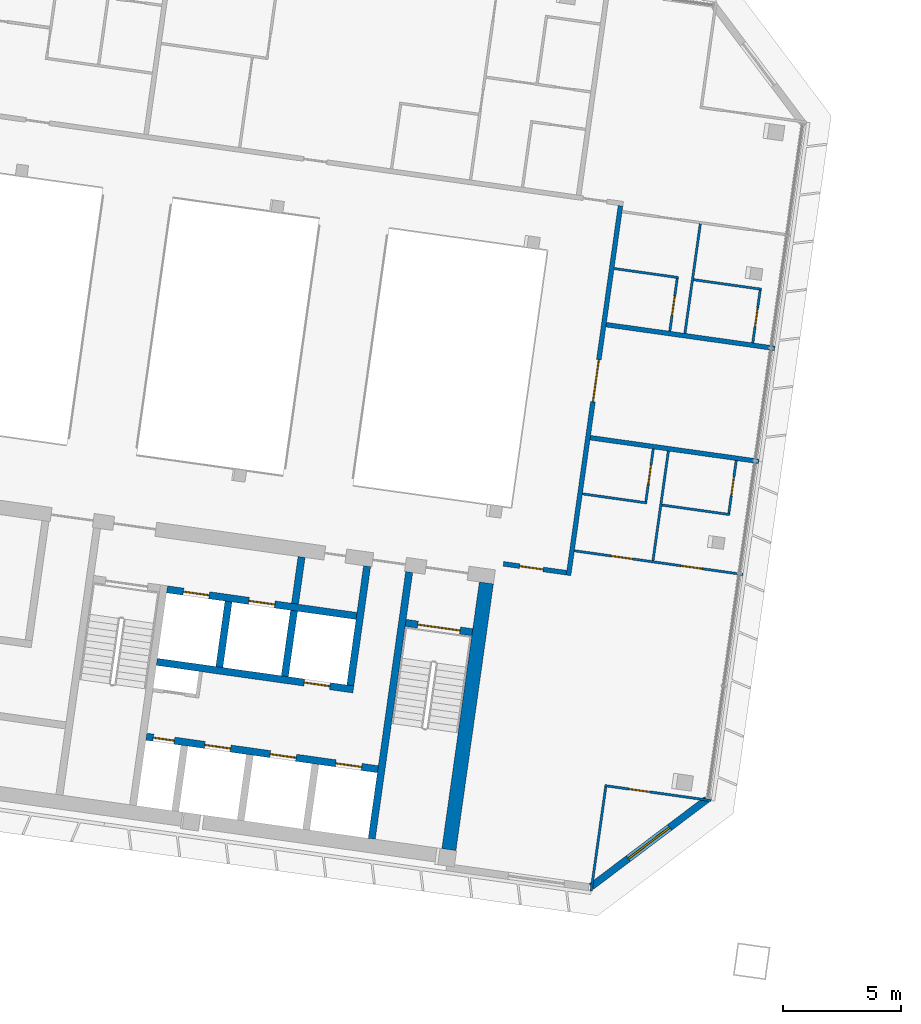
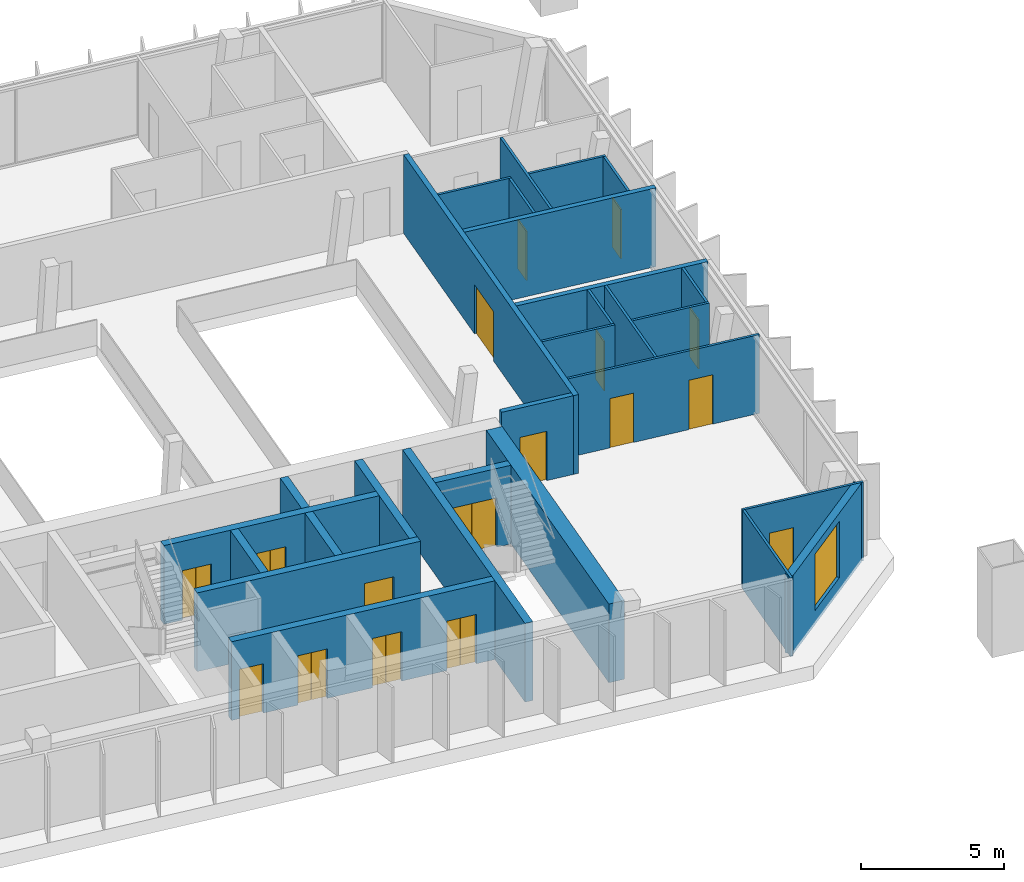
# One storey, part 14 of 23: 28 walls, 17 doors, 1 window, 18 openings.
"""IFC4 building model written with IfcOpenShell, lengths in metres."""

from ifc_helpers import new_model, si_unit, direction, frame, frame_2d, origin, place, context, subcontext, project, spatial, rectangle, extrude, material, layer, layer_set, type_object, element, fill, save


model = new_model("IFC4")

# Units and contexts
model_context = context("Model", 3, precision=1e-05, world=origin(), true_north=direction((0.0, 1.0)))
body_context = subcontext(model_context, "Body", "Model", "MODEL_VIEW")
ifc_project = project(units=[si_unit("LENGTHUNIT", "METRE"), si_unit("AREAUNIT", "SQUARE_METRE"), si_unit("VOLUMEUNIT", "CUBIC_METRE"), si_unit("PLANEANGLEUNIT", "RADIAN"), si_unit("MASSUNIT", "GRAM", prefix="KILO")], contexts=[model_context])

# Site, building, storey
site_placement = place(None, origin())
site = spatial("IfcSite", under=ifc_project, at=site_placement, CompositionType="ELEMENT")
building_placement = place(site_placement, origin())
building = spatial("IfcBuilding", under=site, at=building_placement, Name="Mirante Cascada Hotel Towers", CompositionType="ELEMENT")
storey_placement = place(building_placement, frame((0.0, 0.0, 220.4)))
storey = spatial("IfcBuildingStorey", under=building, at=storey_placement, Name="L52", CompositionType="ELEMENT", Elevation=220.4)

# Wall, opening, door
ifc_material_1 = material(Name="Fire-rated plasterboard on metal studs")
ifc_layer_1 = layer(ifc_material_1, 0.2)
ifc_layer_set_1 = layer_set([ifc_layer_1], Name="Compartment wall 200 EI 120")
wall_type_1 = type_object("IfcWallType", Name="Compartment wall 200 EI 120", PredefinedType="PARTITIONING", material=ifc_layer_set_1)
wall_1_placement = place(storey_placement, frame((-35.2634, -7.1173, 0.0), z_axis=(0.0, 0.0, 1.0), x_axis=(0.9902713, -0.1391498, 0.0)))
wall_1 = element("IfcWall", 1, at=wall_1_placement, inside=storey, type_object=wall_type_1, Name="Wall 1-L52-04", PredefinedType="PARTITIONING", context=body_context, shape_type="SweptSolid", body=[
    extrude(rectangle(XDim=2.7, YDim=0.2, at=frame_2d((1.35, 0.0))), origin(), (0.0, 0.0, 1.0), 3.35),
])
opening_1_placement = place(wall_1_placement, frame((0.7, 0.0, 0.0)))
opening_1 = element("IfcOpeningElement", 2, at=opening_1_placement, cuts=wall_1, Name="Opening D1-L52-02", PredefinedType="OPENING", context=body_context, shape_type="SweptSolid", body=[
    extrude(rectangle(XDim=1.0, YDim=2.1, at=frame_2d((0.5, 1.05))), frame((0.0, 0.1, 0.0), z_axis=(0.0, -1.0, 0.0), x_axis=(1.0, 0.0, 0.0)), (0.0, 0.0, 1.0), 0.2),
])
ifc_material_2 = material(Name="Fire-rated timber door leaf", Category="wood")
door_type_1 = type_object("IfcDoorType", Name="Entrance door DG1 1000x2100 EI 60", OperationType="SINGLE_SWING_LEFT", PredefinedType="DOOR", material=ifc_material_2)
door_1_placement = place(opening_1_placement, frame((1.0, 0.0, 0.0), z_axis=(0.0, 0.0, 1.0), x_axis=(-1.0, 0.0, 0.0)))
door_1 = element("IfcDoor", 3, at=door_1_placement, inside=storey, type_object=door_type_1, Name="Door D1-L52-02", OperationType="SINGLE_SWING_RIGHT", OverallHeight=2.1, OverallWidth=1.0, PredefinedType="DOOR", context=body_context, shape_type="SweptSolid", body=[
    extrude(rectangle(XDim=1.0, YDim=2.1, at=frame_2d((0.5, 1.05))), frame((0.0, 0.025, 0.0), z_axis=(0.0, -1.0, 0.0), x_axis=(1.0, 0.0, 0.0)), (0.0, 0.0, 1.0), 0.05),
])
fill(opening_1, door_1)

# Walls
wall_2_placement = place(storey_placement, frame((-24.4481, -2.7803, 0.0), z_axis=(0.0, 0.0, 1.0), x_axis=(-0.990267, 0.1391811, 0.0)))
element("IfcWall", 4, at=wall_2_placement, inside=storey, type_object=wall_type_1, Name="Wall 1-L52-09", PredefinedType="PARTITIONING", context=body_context, shape_type="SweptSolid", body=[
    extrude(rectangle(XDim=7.2064, YDim=0.2, at=frame_2d((3.6032, 0.0))), origin(), (0.0, 0.0, 1.0), 3.35),
])
wall_3_placement = place(storey_placement, frame((-30.9118, 3.0089, 0.0), z_axis=(0.0, 0.0, 1.0), x_axis=(0.9902691, -0.1391655, 0.0)))
element("IfcWall", 5, at=wall_3_placement, inside=storey, type_object=wall_type_1, Name="Wall 1-L52-10", PredefinedType="PARTITIONING", context=body_context, shape_type="SweptSolid", body=[
    extrude(rectangle(XDim=7.2065, YDim=0.2, at=frame_2d((3.6032, 0.0))), origin(), (0.0, 0.0, 1.0), 3.35),
])

# Wall, opening, door
wall_4_placement = place(storey_placement, frame((-30.3056, 8.0402, 0.0), z_axis=(0.0, 0.0, 1.0), x_axis=(-0.1391774, -0.9902675, 0.0)))
wall_4 = element("IfcWall", 6, at=wall_4_placement, inside=storey, type_object=wall_type_1, Name="Wall 1-L52-36", PredefinedType="PARTITIONING", context=body_context, shape_type="SweptSolid", body=[
    extrude(rectangle(XDim=15.8, YDim=0.2, at=frame_2d((7.9, 0.0))), origin(), (0.0, 0.0, 1.0), 3.35),
])
opening_2_placement = place(wall_4_placement, frame((6.5834, 0.0, 0.0)))
opening_2 = element("IfcOpeningElement", 7, at=opening_2_placement, cuts=wall_4, Name="Opening D1-L52-24", PredefinedType="OPENING", context=body_context, shape_type="SweptSolid", body=[
    extrude(rectangle(XDim=1.8, YDim=2.1, at=frame_2d((0.9, 1.05))), frame((0.0, 0.1, 0.0), z_axis=(0.0, -1.0, 0.0), x_axis=(1.0, 0.0, 0.0)), (0.0, 0.0, 1.0), 0.2),
])
ifc_material_3 = material(Name="Fire-rated timber door leaf", Category="wood")
door_type_2 = type_object("IfcDoorType", Name="Suite double door DG2 1800x2100 EI 60", OperationType="DOUBLE_DOOR_SINGLE_SWING", PredefinedType="DOOR", material=ifc_material_3)
door_2_placement = place(opening_2_placement, origin())
door_2 = element("IfcDoor", 8, at=door_2_placement, inside=storey, type_object=door_type_2, Name="Door D1-L52-24", OperationType="DOUBLE_DOOR_SINGLE_SWING", OverallHeight=2.1, OverallWidth=1.8, PredefinedType="DOOR", context=body_context, shape_type="SweptSolid", body=[
    extrude(rectangle(XDim=0.895, YDim=2.1, at=frame_2d((0.4475, 1.05))), frame((0.0, 0.025, 0.0), z_axis=(0.0, -1.0, 0.0), x_axis=(1.0, 0.0, 0.0)), (0.0, 0.0, 1.0), 0.05),
    extrude(rectangle(XDim=0.895, YDim=2.1, at=frame_2d((1.3525, 1.05))), frame((0.0, 0.025, 0.0), z_axis=(0.0, -1.0, 0.0), x_axis=(1.0, 0.0, 0.0)), (0.0, 0.0, 1.0), 0.05),
])
fill(opening_2, door_2)

# Wall
ifc_material_4 = material(Name="Masonry block", Category="masonry")
ifc_layer_2 = layer(ifc_material_4, 0.3)
ifc_layer_set_2 = layer_set([ifc_layer_2], Name="Core wall 300 block EI 120")
wall_type_2 = type_object("IfcWallType", Name="Core wall 300 block EI 120", PredefinedType="PARTITIONING", material=ifc_layer_set_2)
wall_5_placement = place(storey_placement, frame((-44.0843, -8.8061, 0.0), z_axis=(0.0, 0.0, 1.0), x_axis=(0.1391951, 0.990265, 0.0)))
element("IfcWall", 9, at=wall_5_placement, inside=storey, type_object=wall_type_2, Name="Core wall partition T1 L52 1", PredefinedType="PARTITIONING", context=body_context, shape_type="SweptSolid", body=[
    extrude(rectangle(XDim=2.0001, YDim=0.3, at=frame_2d((1.0001, 0.0))), origin(), (0.0, 0.0, 1.0), 3.35),
])

# Wall, opening, door
ifc_material_5 = material(Name="Plasterboard on metal studs")
ifc_layer_3 = layer(ifc_material_5, 0.1)
ifc_layer_set_3 = layer_set([ifc_layer_3], Name="Partition 100")
wall_type_3 = type_object("IfcWallType", Name="Partition 100", PredefinedType="PARTITIONING", material=ifc_layer_set_3)
wall_6_placement = place(storey_placement, frame((-26.4661, -17.1392, 0.0), z_axis=(0.0, 0.0, 1.0), x_axis=(-0.9902661, 0.1391871, 0.0)))
wall_6 = element("IfcWall", 10, at=wall_6_placement, inside=storey, type_object=wall_type_3, Name="Wall 1-L52-01", PredefinedType="PARTITIONING", context=body_context, shape_type="SweptSolid", body=[
    extrude(rectangle(XDim=4.55, YDim=0.1, at=frame_2d((2.275, 0.0))), origin(), (0.0, 0.0, 1.0), 3.35),
])
opening_3_placement = place(wall_6_placement, frame((2.6326, 0.0, 0.0)))
opening_3 = element("IfcOpeningElement", 11, at=opening_3_placement, cuts=wall_6, Name="Opening D1-L52-01", PredefinedType="OPENING", context=body_context, shape_type="SweptSolid", body=[
    extrude(rectangle(XDim=0.9, YDim=2.1, at=frame_2d((0.45, 1.05))), frame((0.0, 0.05, 0.0), z_axis=(0.0, -1.0, 0.0), x_axis=(1.0, 0.0, 0.0)), (0.0, 0.0, 1.0), 0.1),
])
ifc_material_6 = material(Name="Timber door leaf", Category="wood")
door_type_3 = type_object("IfcDoorType", Name="Room door DG3 900x2100", OperationType="SINGLE_SWING_LEFT", PredefinedType="DOOR", material=ifc_material_6)
door_3_placement = place(opening_3_placement, frame((0.9, 0.0, 0.0), z_axis=(0.0, 0.0, 1.0), x_axis=(-1.0, 0.0, 0.0)))
door_3 = element("IfcDoor", 12, at=door_3_placement, inside=storey, type_object=door_type_3, Name="Door D1-L52-01", OperationType="SINGLE_SWING_RIGHT", OverallHeight=2.1, OverallWidth=0.9, PredefinedType="DOOR", context=body_context, shape_type="SweptSolid", body=[
    extrude(rectangle(XDim=0.9, YDim=2.1, at=frame_2d((0.45, 1.05))), frame((0.0, 0.025, 0.0), z_axis=(0.0, -1.0, 0.0), x_axis=(1.0, 0.0, 0.0)), (0.0, 0.0, 1.0), 0.05),
])
fill(opening_3, door_3)

# Wall, openings, doors
wall_7_placement = place(storey_placement, frame((-25.1207, -7.5665, 0.0), z_axis=(0.0, 0.0, 1.0), x_axis=(-0.9902691, 0.1391655, 0.0)))
wall_7 = element("IfcWall", 13, at=wall_7_placement, inside=storey, type_object=wall_type_3, Name="Wall 1-L52-05", PredefinedType="PARTITIONING", context=body_context, shape_type="SweptSolid", body=[
    extrude(rectangle(XDim=7.2065, YDim=0.1, at=frame_2d((3.6032, 0.0))), origin(), (0.0, 0.0, 1.0), 3.35),
])
opening_4_placement = place(wall_7_placement, frame((1.75, 0.0, 0.0)))
opening_4 = element("IfcOpeningElement", 14, at=opening_4_placement, cuts=wall_7, Name="Opening D1-L52-03", PredefinedType="OPENING", context=body_context, shape_type="SweptSolid", body=[
    extrude(rectangle(XDim=0.9, YDim=2.1, at=frame_2d((0.45, 1.05))), frame((0.0, 0.05, 0.0), z_axis=(0.0, -1.0, 0.0), x_axis=(1.0, 0.0, 0.0)), (0.0, 0.0, 1.0), 0.1),
])
opening_5_placement = place(wall_7_placement, frame((4.7299, 0.0, 0.0)))
opening_5 = element("IfcOpeningElement", 15, at=opening_5_placement, cuts=wall_7, Name="Opening D1-L52-04", PredefinedType="OPENING", context=body_context, shape_type="SweptSolid", body=[
    extrude(rectangle(XDim=0.9, YDim=2.1, at=frame_2d((0.45, 1.05))), frame((0.0, 0.05, 0.0), z_axis=(0.0, -1.0, 0.0), x_axis=(1.0, 0.0, 0.0)), (0.0, 0.0, 1.0), 0.1),
])
door_4_placement = place(opening_4_placement, origin())
door_4 = element("IfcDoor", 16, at=door_4_placement, inside=storey, type_object=door_type_3, Name="Door D1-L52-03", OperationType="SINGLE_SWING_LEFT", OverallHeight=2.1, OverallWidth=0.9, PredefinedType="DOOR", context=body_context, shape_type="SweptSolid", body=[
    extrude(rectangle(XDim=0.9, YDim=2.1, at=frame_2d((0.45, 1.05))), frame((0.0, 0.025, 0.0), z_axis=(0.0, -1.0, 0.0), x_axis=(1.0, 0.0, 0.0)), (0.0, 0.0, 1.0), 0.05),
])
fill(opening_4, door_4)
door_5_placement = place(opening_5_placement, origin())
door_5 = element("IfcDoor", 17, at=door_5_placement, inside=storey, type_object=door_type_3, Name="Door D1-L52-04", OperationType="SINGLE_SWING_LEFT", OverallHeight=2.1, OverallWidth=0.9, PredefinedType="DOOR", context=body_context, shape_type="SweptSolid", body=[
    extrude(rectangle(XDim=0.9, YDim=2.1, at=frame_2d((0.45, 1.05))), frame((0.0, 0.025, 0.0), z_axis=(0.0, -1.0, 0.0), x_axis=(1.0, 0.0, 0.0)), (0.0, 0.0, 1.0), 0.05),
])
fill(opening_5, door_5)

# Walls
wall_8_placement = place(storey_placement, frame((-25.6765, -5.0312, 0.0), z_axis=(0.0, 0.0, 1.0), x_axis=(-0.9902683, 0.1391714, 0.0)))
element("IfcWall", 18, at=wall_8_placement, inside=storey, type_object=wall_type_3, Name="Wall 1-L52-07", PredefinedType="PARTITIONING", context=body_context, shape_type="SweptSolid", body=[
    extrude(rectangle(XDim=2.9, YDim=0.1, at=frame_2d((1.45, 0.0))), origin(), (0.0, 0.0, 1.0), 3.35),
])
wall_9_placement = place(storey_placement, frame((-31.9184, -4.154, 0.0), z_axis=(0.0, 0.0, 1.0), x_axis=(0.9902691, -0.1391659, 0.0)))
element("IfcWall", 19, at=wall_9_placement, inside=storey, type_object=wall_type_3, Name="Wall 1-L52-08", PredefinedType="PARTITIONING", context=body_context, shape_type="SweptSolid", body=[
    extrude(rectangle(XDim=2.7564, YDim=0.1, at=frame_2d((1.3782, 0.0))), origin(), (0.0, 0.0, 1.0), 3.35),
])
wall_10_placement = place(storey_placement, frame((-27.2076, 4.9119, 0.0), z_axis=(0.0, 0.0, 1.0), x_axis=(0.9902683, -0.1391714, 0.0)))
element("IfcWall", 20, at=wall_10_placement, inside=storey, type_object=wall_type_3, Name="Wall 1-L52-12", PredefinedType="PARTITIONING", context=body_context, shape_type="SweptSolid", body=[
    extrude(rectangle(XDim=2.9, YDim=0.1, at=frame_2d((1.45, 0.0))), origin(), (0.0, 0.0, 1.0), 3.35),
])
wall_11_placement = place(storey_placement, frame((-27.8481, 5.002, 0.0), z_axis=(0.0, 0.0, 1.0), x_axis=(-0.9902691, 0.1391659, 0.0)))
element("IfcWall", 21, at=wall_11_placement, inside=storey, type_object=wall_type_3, Name="Wall 1-L52-13", PredefinedType="PARTITIONING", context=body_context, shape_type="SweptSolid", body=[
    extrude(rectangle(XDim=2.7564, YDim=0.1, at=frame_2d((1.3782, 0.0))), origin(), (0.0, 0.0, 1.0), 3.35),
])

# Wall, opening, door
wall_12_placement = place(storey_placement, frame((-25.4059, -2.7466, 0.0), z_axis=(0.0, 0.0, 1.0), x_axis=(-0.1391561, -0.9902705, 0.0)))
wall_12 = element("IfcWall", 22, at=wall_12_placement, inside=storey, type_object=wall_type_3, Name="Wall 1-L52-28", PredefinedType="PARTITIONING", context=body_context, shape_type="SweptSolid", body=[
    extrude(rectangle(XDim=2.25, YDim=0.1, at=frame_2d((1.125, 0.0))), origin(), (0.0, 0.0, 1.0), 3.35),
])
opening_6_placement = place(wall_12_placement, frame((0.7, 0.0, 0.0)))
opening_6 = element("IfcOpeningElement", 23, at=opening_6_placement, cuts=wall_12, Name="Opening D1-L52-20", PredefinedType="OPENING", context=body_context, shape_type="SweptSolid", body=[
    extrude(rectangle(XDim=0.8, YDim=2.1, at=frame_2d((0.4, 1.05))), frame((0.0, 0.05, 0.0), z_axis=(0.0, -1.0, 0.0), x_axis=(1.0, 0.0, 0.0)), (0.0, 0.0, 1.0), 0.1),
])
ifc_material_7 = material(Name="Timber door leaf", Category="wood")
door_type_4 = type_object("IfcDoorType", Name="Bathroom door DG4 800x2100", OperationType="SINGLE_SWING_LEFT", PredefinedType="DOOR", material=ifc_material_7)
door_6_placement = place(opening_6_placement, frame((0.8, 0.0, 0.0), z_axis=(0.0, 0.0, 1.0), x_axis=(-1.0, 0.0, 0.0)))
door_6 = element("IfcDoor", 24, at=door_6_placement, inside=storey, type_object=door_type_4, Name="Door D1-L52-20", OperationType="SINGLE_SWING_RIGHT", OverallHeight=2.1, OverallWidth=0.8, PredefinedType="DOOR", context=body_context, shape_type="SweptSolid", body=[
    extrude(rectangle(XDim=0.8, YDim=2.1, at=frame_2d((0.4, 1.05))), frame((0.0, 0.025, 0.0), z_axis=(0.0, -1.0, 0.0), x_axis=(1.0, 0.0, 0.0)), (0.0, 0.0, 1.0), 0.05),
])
fill(opening_6, door_6)

wall_13_placement = place(storey_placement, frame((-24.7054, 2.2377, 0.0), z_axis=(0.0, 0.0, 1.0), x_axis=(0.1391561, 0.9902705, 0.0)))
wall_13 = element("IfcWall", 25, at=wall_13_placement, inside=storey, type_object=wall_type_3, Name="Wall 1-L52-29", PredefinedType="PARTITIONING", context=body_context, shape_type="SweptSolid", body=[
    extrude(rectangle(XDim=2.25, YDim=0.1, at=frame_2d((1.125, 0.0))), origin(), (0.0, 0.0, 1.0), 3.35),
])
opening_7_placement = place(wall_13_placement, frame((0.7, 0.0, 0.0)))
opening_7 = element("IfcOpeningElement", 26, at=opening_7_placement, cuts=wall_13, Name="Opening D1-L52-21", PredefinedType="OPENING", context=body_context, shape_type="SweptSolid", body=[
    extrude(rectangle(XDim=0.8, YDim=2.1, at=frame_2d((0.4, 1.05))), frame((0.0, 0.05, 0.0), z_axis=(0.0, -1.0, 0.0), x_axis=(1.0, 0.0, 0.0)), (0.0, 0.0, 1.0), 0.1),
])
door_7_placement = place(opening_7_placement, origin())
door_7 = element("IfcDoor", 27, at=door_7_placement, inside=storey, type_object=door_type_4, Name="Door D1-L52-21", OperationType="SINGLE_SWING_LEFT", OverallHeight=2.1, OverallWidth=0.8, PredefinedType="DOOR", context=body_context, shape_type="SweptSolid", body=[
    extrude(rectangle(XDim=0.8, YDim=2.1, at=frame_2d((0.4, 1.05))), frame((0.0, 0.025, 0.0), z_axis=(0.0, -1.0, 0.0), x_axis=(1.0, 0.0, 0.0)), (0.0, 0.0, 1.0), 0.05),
])
fill(opening_7, door_7)

# Walls
for number, where, z_axis, x_axis, name in (
    (28, (-28.2777, -2.343, 0.0), (0.0, 0.0, 1.0), (-0.139173, -0.9902681, 0.0), "Wall 1-L52-30"),
    (29, (-27.5772, 2.6413, 0.0), (0.0, 0.0, 1.0), (0.139173, 0.9902681, 0.0), "Wall 1-L52-31"),
):
    element("IfcWall", number, at=place(storey_placement, frame(where, z_axis=z_axis, x_axis=x_axis)), inside=storey, type_object=wall_type_3, Name=name, PredefinedType="PARTITIONING", context=body_context, shape_type="SweptSolid", body=[
        extrude(rectangle(XDim=4.6834, YDim=0.1, at=frame_2d((2.3417, 0.0))), origin(), (0.0, 0.0, 1.0), 3.35),
    ])
wall_14_placement = place(storey_placement, frame((-30.9292, -16.5624, 0.0), z_axis=(0.0, 0.0, 1.0), x_axis=(-0.1391904, -0.9902656, 0.0)))
element("IfcWall", 30, at=wall_14_placement, inside=storey, type_object=wall_type_3, Name="Wall 1-L52-32", PredefinedType="PARTITIONING", context=body_context, shape_type="SweptSolid", body=[
    extrude(rectangle(XDim=4.45, YDim=0.1, at=frame_2d((2.225, 0.0))), origin(), (0.0, 0.0, 1.0), 3.35),
])

# Wall, opening, door
wall_15_placement = place(storey_placement, frame((-29.2313, -4.4811, 0.0), z_axis=(0.0, 0.0, 1.0), x_axis=(0.1391561, 0.9902705, 0.0)))
wall_15 = element("IfcWall", 31, at=wall_15_placement, inside=storey, type_object=wall_type_3, Name="Wall 1-L52-33", PredefinedType="PARTITIONING", context=body_context, shape_type="SweptSolid", body=[
    extrude(rectangle(XDim=2.25, YDim=0.1, at=frame_2d((1.125, 0.0))), origin(), (0.0, 0.0, 1.0), 3.35),
])
opening_8_placement = place(wall_15_placement, frame((0.75, 0.0, 0.0)))
opening_8 = element("IfcOpeningElement", 32, at=opening_8_placement, cuts=wall_15, Name="Opening D1-L52-22", PredefinedType="OPENING", context=body_context, shape_type="SweptSolid", body=[
    extrude(rectangle(XDim=0.8, YDim=2.1, at=frame_2d((0.4, 1.05))), frame((0.0, 0.05, 0.0), z_axis=(0.0, -1.0, 0.0), x_axis=(1.0, 0.0, 0.0)), (0.0, 0.0, 1.0), 0.1),
])
door_8_placement = place(opening_8_placement, origin())
door_8 = element("IfcDoor", 33, at=door_8_placement, inside=storey, type_object=door_type_4, Name="Door D1-L52-22", OperationType="SINGLE_SWING_LEFT", OverallHeight=2.1, OverallWidth=0.8, PredefinedType="DOOR", context=body_context, shape_type="SweptSolid", body=[
    extrude(rectangle(XDim=0.8, YDim=2.1, at=frame_2d((0.4, 1.05))), frame((0.0, 0.025, 0.0), z_axis=(0.0, -1.0, 0.0), x_axis=(1.0, 0.0, 0.0)), (0.0, 0.0, 1.0), 0.05),
])
fill(opening_8, door_8)

wall_16_placement = place(storey_placement, frame((-27.9045, 4.9594, 0.0), z_axis=(0.0, 0.0, 1.0), x_axis=(-0.1391997, -0.9902643, 0.0)))
wall_16 = element("IfcWall", 34, at=wall_16_placement, inside=storey, type_object=wall_type_3, Name="Wall 1-L52-34", PredefinedType="PARTITIONING", context=body_context, shape_type="SweptSolid", body=[
    extrude(rectangle(XDim=2.25, YDim=0.1, at=frame_2d((1.125, 0.0))), origin(), (0.0, 0.0, 1.0), 3.35),
])
opening_9_placement = place(wall_16_placement, frame((0.75, 0.0, 0.0)))
opening_9 = element("IfcOpeningElement", 35, at=opening_9_placement, cuts=wall_16, Name="Opening D1-L52-23", PredefinedType="OPENING", context=body_context, shape_type="SweptSolid", body=[
    extrude(rectangle(XDim=0.8, YDim=2.1, at=frame_2d((0.4, 1.05))), frame((0.0, 0.05, 0.0), z_axis=(0.0, -1.0, 0.0), x_axis=(1.0, 0.0, 0.0)), (0.0, 0.0, 1.0), 0.1),
])
door_9_placement = place(opening_9_placement, frame((0.8, 0.0, 0.0), z_axis=(0.0, 0.0, 1.0), x_axis=(-1.0, 0.0, 0.0)))
door_9 = element("IfcDoor", 36, at=door_9_placement, inside=storey, type_object=door_type_4, Name="Door D1-L52-23", OperationType="SINGLE_SWING_RIGHT", OverallHeight=2.1, OverallWidth=0.8, PredefinedType="DOOR", context=body_context, shape_type="SweptSolid", body=[
    extrude(rectangle(XDim=0.8, YDim=2.1, at=frame_2d((0.4, 1.05))), frame((0.0, 0.025, 0.0), z_axis=(0.0, -1.0, 0.0), x_axis=(1.0, 0.0, 0.0)), (0.0, 0.0, 1.0), 0.05),
])
fill(opening_9, door_9)

# Wall, opening, window
ifc_material_8 = material(Name="Precast concrete C40/50", Category="concrete")
ifc_layer_4 = layer(ifc_material_8, 0.3)
ifc_layer_set_4 = layer_set([ifc_layer_4], Name="Precast concrete C40/50 cladding wall 300")
wall_type_4 = type_object("IfcWallType", Name="Precast concrete C40/50 cladding wall 300", PredefinedType="STANDARD", material=ifc_layer_set_4)
wall_17_placement = place(storey_placement, frame((-26.6555, -17.0941, 0.0), z_axis=(0.0, 0.0, 1.0), x_axis=(-0.7986362, -0.6018141, 0.0)))
wall_17 = element("IfcWall", 37, at=wall_17_placement, inside=storey, type_object=wall_type_4, Name="Corner cladding wall T1 L52 inner rear", PredefinedType="STANDARD", context=body_context, shape_type="SweptSolid", body=[
    extrude(rectangle(XDim=6.1157, YDim=0.3, at=frame_2d((3.0578, 0.0))), origin(), (0.0, 0.0, 1.0), 3.35),
])
opening_10_placement = place(wall_17_placement, frame((1.9578, 0.0, 0.6)))
opening_10 = element("IfcOpeningElement", 38, at=opening_10_placement, cuts=wall_17, Name="Opening W1-52-05", PredefinedType="OPENING", context=body_context, shape_type="SweptSolid", body=[
    extrude(rectangle(XDim=2.2, YDim=2.4, at=frame_2d((1.1, 1.2))), frame((0.0, 0.15, 0.0), z_axis=(0.0, -1.0, 0.0), x_axis=(1.0, 0.0, 0.0)), (0.0, 0.0, 1.0), 0.3),
])
ifc_material_9 = material(Name="Aluminium frame with clear double glazing", Category="aluminium")
window_type = type_object("IfcWindowType", Name="Corner suite window 2200x2400", PartitioningType="DOUBLE_PANEL_VERTICAL", PredefinedType="WINDOW", material=ifc_material_9)
window_placement = place(opening_10_placement, origin())
window = element("IfcWindow", 39, at=window_placement, inside=storey, type_object=window_type, Name="Window W1-52-05", OverallHeight=2.4, OverallWidth=2.2, PartitioningType="SINGLE_PANEL", PredefinedType="WINDOW", context=body_context, shape_type="SweptSolid", body=[
    extrude(rectangle(XDim=2.2, YDim=2.4, at=frame_2d((1.1, 1.2))), frame((0.0, 0.03, 0.0), z_axis=(0.0, -1.0, 0.0), x_axis=(1.0, 0.0, 0.0)), (0.0, 0.0, 1.0), 0.06),
])
fill(opening_10, window)

# Wall
ifc_material_10 = material(Name="Concrete C50/60", Category="concrete")
ifc_layer_5 = layer(ifc_material_10, 0.3)
ifc_layer_set_5 = layer_set([ifc_layer_5], Name="RC core wall 300 C50/60")
wall_type_5 = type_object("IfcWallType", Name="RC core wall 300 C50/60", PredefinedType="SHEAR", material=ifc_layer_set_5)
wall_18_placement = place(storey_placement, frame((-40.8373, -18.7548, 0.0), z_axis=(0.0, 0.0, 1.0), x_axis=(0.1391749, 0.9902678, 0.0)))
element("IfcWall", 40, at=wall_18_placement, inside=storey, type_object=wall_type_5, Name="Core wall T1:L52:5", PredefinedType="SHEAR", context=body_context, shape_type="SweptSolid", body=[
    extrude(rectangle(XDim=11.4, YDim=0.3, at=frame_2d((5.7, 0.0))), origin(), (0.0, 0.0, 1.0), 3.35),
])

# Wall, opening, door
wall_19_placement = place(storey_placement, frame((-36.5791, -10.0123, 0.0), z_axis=(0.0, 0.0, 1.0), x_axis=(-0.9902704, 0.1391564, 0.0)))
wall_19 = element("IfcWall", 41, at=wall_19_placement, inside=storey, type_object=wall_type_5, Name="Core wall T1:L52:8", PredefinedType="SHEAR", context=body_context, shape_type="SweptSolid", body=[
    extrude(rectangle(XDim=2.85, YDim=0.3, at=frame_2d((1.425, 0.0))), origin(), (0.0, 0.0, 1.0), 3.35),
])
opening_11_placement = place(wall_19_placement, frame((0.525, 0.0, 0.0)))
opening_11 = element("IfcOpeningElement", 42, at=opening_11_placement, cuts=wall_19, Name="Opening D1-52-C07", PredefinedType="OPENING", context=body_context, shape_type="SweptSolid", body=[
    extrude(rectangle(XDim=1.8, YDim=2.1, at=frame_2d((0.9, 1.05))), frame((0.0, 0.15, 0.0), z_axis=(0.0, -1.0, 0.0), x_axis=(1.0, 0.0, 0.0)), (0.0, 0.0, 1.0), 0.3),
])
ifc_material_11 = material(Name="Hollow metal fire door leaf")
door_type_5 = type_object("IfcDoorType", Name="Double fire door 1800x2100 FD60", OperationType="DOUBLE_DOOR_SINGLE_SWING", PredefinedType="DOOR", material=ifc_material_11)
door_10_placement = place(opening_11_placement, origin())
door_10 = element("IfcDoor", 43, at=door_10_placement, inside=storey, type_object=door_type_5, Name="Stair door T1 L52 7", OperationType="DOUBLE_DOOR_SINGLE_SWING", OverallHeight=2.1, OverallWidth=1.8, PredefinedType="DOOR", context=body_context, shape_type="SweptSolid", body=[
    extrude(rectangle(XDim=0.895, YDim=2.1, at=frame_2d((0.4475, 1.05))), frame((0.0, 0.025, 0.0), z_axis=(0.0, -1.0, 0.0), x_axis=(1.0, 0.0, 0.0)), (0.0, 0.0, 1.0), 0.05),
    extrude(rectangle(XDim=0.895, YDim=2.1, at=frame_2d((1.3525, 1.05))), frame((0.0, 0.025, 0.0), z_axis=(0.0, -1.0, 0.0), x_axis=(1.0, 0.0, 0.0)), (0.0, 0.0, 1.0), 0.05),
])
fill(opening_11, door_10)

# Wall, openings, doors
wall_20_placement = place(storey_placement, frame((-40.5753, -15.8126, 0.0), z_axis=(0.0, 0.0, 1.0), x_axis=(-0.9902682, 0.1391725, 0.0)))
wall_20 = element("IfcWall", 44, at=wall_20_placement, inside=storey, type_object=wall_type_5, Name="Core wall T1:L52:10", PredefinedType="SHEAR", context=body_context, shape_type="SweptSolid", body=[
    extrude(rectangle(XDim=9.8999, YDim=0.3, at=frame_2d((4.95, 0.0))), origin(), (0.0, 0.0, 1.0), 3.35),
])
opening_12_placement = place(wall_20_placement, frame((0.7, 0.0, 0.0)))
opening_12 = element("IfcOpeningElement", 45, at=opening_12_placement, cuts=wall_20, Name="Opening LD", PredefinedType="OPENING", context=body_context, shape_type="SweptSolid", body=[
    extrude(rectangle(XDim=1.1, YDim=2.1, at=frame_2d((0.55, 1.05))), frame((0.0, 0.15, 0.0), z_axis=(0.0, -1.0, 0.0), x_axis=(1.0, 0.0, 0.0)), (0.0, 0.0, 1.0), 0.3),
])
opening_13_placement = place(wall_20_placement, frame((3.5, 0.0, 0.0)))
opening_13 = element("IfcOpeningElement", 46, at=opening_13_placement, cuts=wall_20, Name="Opening LD", PredefinedType="OPENING", context=body_context, shape_type="SweptSolid", body=[
    extrude(rectangle(XDim=1.1, YDim=2.1, at=frame_2d((0.55, 1.05))), frame((0.0, 0.15, 0.0), z_axis=(0.0, -1.0, 0.0), x_axis=(1.0, 0.0, 0.0)), (0.0, 0.0, 1.0), 0.3),
])
opening_14_placement = place(wall_20_placement, frame((6.3, 0.0, 0.0)))
opening_14 = element("IfcOpeningElement", 47, at=opening_14_placement, cuts=wall_20, Name="Opening LD", PredefinedType="OPENING", context=body_context, shape_type="SweptSolid", body=[
    extrude(rectangle(XDim=1.1, YDim=2.1, at=frame_2d((0.55, 1.05))), frame((0.0, 0.15, 0.0), z_axis=(0.0, -1.0, 0.0), x_axis=(1.0, 0.0, 0.0)), (0.0, 0.0, 1.0), 0.3),
])
opening_15_placement = place(wall_20_placement, frame((8.7, 0.0, 0.0)))
opening_15 = element("IfcOpeningElement", 48, at=opening_15_placement, cuts=wall_20, Name="Opening D1-52-C14", PredefinedType="OPENING", context=body_context, shape_type="SweptSolid", body=[
    extrude(rectangle(XDim=0.9, YDim=2.1, at=frame_2d((0.45, 1.05))), frame((0.0, 0.15, 0.0), z_axis=(0.0, -1.0, 0.0), x_axis=(1.0, 0.0, 0.0)), (0.0, 0.0, 1.0), 0.3),
])
ifc_material_12 = material(Name="Hollow metal fire door leaf")
door_type_6 = type_object("IfcDoorType", Name="Fire door 900x2100 FD60", OperationType="NOTDEFINED", PredefinedType="DOOR", material=ifc_material_12)
door_11_placement = place(opening_15_placement, origin())
door_11 = element("IfcDoor", 49, at=door_11_placement, inside=storey, type_object=door_type_6, Name="Riser door T1 L52 14", OperationType="SINGLE_SWING_LEFT", OverallHeight=2.1, OverallWidth=0.9, PredefinedType="DOOR", context=body_context, shape_type="SweptSolid", body=[
    extrude(rectangle(XDim=0.9, YDim=2.1, at=frame_2d((0.45, 1.05))), frame((0.0, 0.025, 0.0), z_axis=(0.0, -1.0, 0.0), x_axis=(1.0, 0.0, 0.0)), (0.0, 0.0, 1.0), 0.05),
])
fill(opening_15, door_11)
ifc_material_13 = material(Name="Stainless steel", Category="steel")
door_type_7 = type_object("IfcDoorType", Name="Lift landing door 1100x2100 EI 120", OperationType="DOUBLE_DOOR_SLIDING", PredefinedType="DOOR", material=ifc_material_13)
door_12_placement = place(opening_12_placement, origin())
door_12 = element("IfcDoor", 50, at=door_12_placement, inside=storey, type_object=door_type_7, Name="Lift landing door HR1-1 L52", OperationType="DOUBLE_DOOR_SLIDING", OverallHeight=2.1, OverallWidth=1.1, PredefinedType="DOOR", context=body_context, shape_type="SweptSolid", body=[
    extrude(rectangle(XDim=0.545, YDim=2.1, at=frame_2d((0.2725, 1.05))), frame((0.0, 0.025, 0.0), z_axis=(0.0, -1.0, 0.0), x_axis=(1.0, 0.0, 0.0)), (0.0, 0.0, 1.0), 0.05),
    extrude(rectangle(XDim=0.545, YDim=2.1, at=frame_2d((0.8275, 1.05))), frame((0.0, 0.025, 0.0), z_axis=(0.0, -1.0, 0.0), x_axis=(1.0, 0.0, 0.0)), (0.0, 0.0, 1.0), 0.05),
])
fill(opening_12, door_12)
door_13_placement = place(opening_13_placement, origin())
door_13 = element("IfcDoor", 51, at=door_13_placement, inside=storey, type_object=door_type_7, Name="Lift landing door HR1-2 L52", OperationType="DOUBLE_DOOR_SLIDING", OverallHeight=2.1, OverallWidth=1.1, PredefinedType="DOOR", context=body_context, shape_type="SweptSolid", body=[
    extrude(rectangle(XDim=0.545, YDim=2.1, at=frame_2d((0.2725, 1.05))), frame((0.0, 0.025, 0.0), z_axis=(0.0, -1.0, 0.0), x_axis=(1.0, 0.0, 0.0)), (0.0, 0.0, 1.0), 0.05),
    extrude(rectangle(XDim=0.545, YDim=2.1, at=frame_2d((0.8275, 1.05))), frame((0.0, 0.025, 0.0), z_axis=(0.0, -1.0, 0.0), x_axis=(1.0, 0.0, 0.0)), (0.0, 0.0, 1.0), 0.05),
])
fill(opening_13, door_13)
door_14_placement = place(opening_14_placement, origin())
door_14 = element("IfcDoor", 52, at=door_14_placement, inside=storey, type_object=door_type_7, Name="Lift landing door HR1-3 L52", OperationType="DOUBLE_DOOR_SLIDING", OverallHeight=2.1, OverallWidth=1.1, PredefinedType="DOOR", context=body_context, shape_type="SweptSolid", body=[
    extrude(rectangle(XDim=0.545, YDim=2.1, at=frame_2d((0.2725, 1.05))), frame((0.0, 0.025, 0.0), z_axis=(0.0, -1.0, 0.0), x_axis=(1.0, 0.0, 0.0)), (0.0, 0.0, 1.0), 0.05),
    extrude(rectangle(XDim=0.545, YDim=2.1, at=frame_2d((0.8275, 1.05))), frame((0.0, 0.025, 0.0), z_axis=(0.0, -1.0, 0.0), x_axis=(1.0, 0.0, 0.0)), (0.0, 0.0, 1.0), 0.05),
])
fill(opening_14, door_14)

# Wall, opening, door
wall_21_placement = place(storey_placement, frame((-41.6153, -12.435, 0.0), z_axis=(0.0, 0.0, 1.0), x_axis=(-0.9902691, 0.139166, 0.0)))
wall_21 = element("IfcWall", 53, at=wall_21_placement, inside=storey, type_object=wall_type_5, Name="Core wall T1:L52:11", PredefinedType="SHEAR", context=body_context, shape_type="SweptSolid", body=[
    extrude(rectangle(XDim=8.4, YDim=0.3, at=frame_2d((4.2, 0.0))), origin(), (0.0, 0.0, 1.0), 3.35),
])
opening_16_placement = place(wall_21_placement, frame((1.0, 0.0, 0.0)))
opening_16 = element("IfcOpeningElement", 54, at=opening_16_placement, cuts=wall_21, Name="Opening LD", PredefinedType="OPENING", context=body_context, shape_type="SweptSolid", body=[
    extrude(rectangle(XDim=1.1, YDim=2.1, at=frame_2d((0.55, 1.05))), frame((0.0, 0.15, 0.0), z_axis=(0.0, -1.0, 0.0), x_axis=(1.0, 0.0, 0.0)), (0.0, 0.0, 1.0), 0.3),
])
door_15_placement = place(opening_16_placement, origin())
door_15 = element("IfcDoor", 55, at=door_15_placement, inside=storey, type_object=door_type_7, Name="Lift landing door HR1-4 L52", OperationType="DOUBLE_DOOR_SLIDING", OverallHeight=2.1, OverallWidth=1.1, PredefinedType="DOOR", context=body_context, shape_type="SweptSolid", body=[
    extrude(rectangle(XDim=0.545, YDim=2.1, at=frame_2d((0.2725, 1.05))), frame((0.0, 0.025, 0.0), z_axis=(0.0, -1.0, 0.0), x_axis=(1.0, 0.0, 0.0)), (0.0, 0.0, 1.0), 0.05),
    extrude(rectangle(XDim=0.545, YDim=2.1, at=frame_2d((0.8275, 1.05))), frame((0.0, 0.025, 0.0), z_axis=(0.0, -1.0, 0.0), x_axis=(1.0, 0.0, 0.0)), (0.0, 0.0, 1.0), 0.05),
])
fill(opening_16, door_15)

# Wall, openings, doors
wall_22_placement = place(storey_placement, frame((-41.481, -9.3234, 0.0), z_axis=(0.0, 0.0, 1.0), x_axis=(-0.9902679, 0.1391741, 0.0)))
wall_22 = element("IfcWall", 56, at=wall_22_placement, inside=storey, type_object=wall_type_5, Name="Core wall T1:L52:12", PredefinedType="SHEAR", context=body_context, shape_type="SweptSolid", body=[
    extrude(rectangle(XDim=8.0999, YDim=0.3, at=frame_2d((4.05, 0.0))), origin(), (0.0, 0.0, 1.0), 3.35),
])
opening_17_placement = place(wall_22_placement, frame((3.5, 0.0, 0.0)))
opening_17 = element("IfcOpeningElement", 57, at=opening_17_placement, cuts=wall_22, Name="Opening LD", PredefinedType="OPENING", context=body_context, shape_type="SweptSolid", body=[
    extrude(rectangle(XDim=1.1, YDim=2.1, at=frame_2d((0.55, 1.05))), frame((0.0, 0.15, 0.0), z_axis=(0.0, -1.0, 0.0), x_axis=(1.0, 0.0, 0.0)), (0.0, 0.0, 1.0), 0.3),
])
opening_18_placement = place(wall_22_placement, frame((6.3, 0.0, 0.0)))
opening_18 = element("IfcOpeningElement", 58, at=opening_18_placement, cuts=wall_22, Name="Opening LD", PredefinedType="OPENING", context=body_context, shape_type="SweptSolid", body=[
    extrude(rectangle(XDim=1.1, YDim=2.1, at=frame_2d((0.55, 1.05))), frame((0.0, 0.15, 0.0), z_axis=(0.0, -1.0, 0.0), x_axis=(1.0, 0.0, 0.0)), (0.0, 0.0, 1.0), 0.3),
])
door_16_placement = place(opening_17_placement, origin())
door_16 = element("IfcDoor", 59, at=door_16_placement, inside=storey, type_object=door_type_7, Name="Lift landing door FF1 L52", OperationType="DOUBLE_DOOR_SLIDING", OverallHeight=2.1, OverallWidth=1.1, PredefinedType="DOOR", context=body_context, shape_type="SweptSolid", body=[
    extrude(rectangle(XDim=0.545, YDim=2.1, at=frame_2d((0.2725, 1.05))), frame((0.0, 0.025, 0.0), z_axis=(0.0, -1.0, 0.0), x_axis=(1.0, 0.0, 0.0)), (0.0, 0.0, 1.0), 0.05),
    extrude(rectangle(XDim=0.545, YDim=2.1, at=frame_2d((0.8275, 1.05))), frame((0.0, 0.025, 0.0), z_axis=(0.0, -1.0, 0.0), x_axis=(1.0, 0.0, 0.0)), (0.0, 0.0, 1.0), 0.05),
])
fill(opening_17, door_16)
door_17_placement = place(opening_18_placement, origin())
door_17 = element("IfcDoor", 60, at=door_17_placement, inside=storey, type_object=door_type_7, Name="Lift landing door FF2 L52", OperationType="DOUBLE_DOOR_SLIDING", OverallHeight=2.1, OverallWidth=1.1, PredefinedType="DOOR", context=body_context, shape_type="SweptSolid", body=[
    extrude(rectangle(XDim=0.545, YDim=2.1, at=frame_2d((0.2725, 1.05))), frame((0.0, 0.025, 0.0), z_axis=(0.0, -1.0, 0.0), x_axis=(1.0, 0.0, 0.0)), (0.0, 0.0, 1.0), 0.05),
    extrude(rectangle(XDim=0.545, YDim=2.1, at=frame_2d((0.8275, 1.05))), frame((0.0, 0.025, 0.0), z_axis=(0.0, -1.0, 0.0), x_axis=(1.0, 0.0, 0.0)), (0.0, 0.0, 1.0), 0.05),
])
fill(opening_18, door_17)

# Walls
for number, where, z_axis, x_axis, name in (
    (61, (-44.5157, -11.8759, 0.0), (0.0, 0.0, 1.0), (0.139181, 0.990267, 0.0), "Core wall T1:L52:16"),
    (62, (-47.2885, -11.4862, 0.0), (0.0, 0.0, 1.0), (0.139181, 0.990267, 0.0), "Core wall T1:L52:17"),
):
    element("IfcWall", number, at=place(storey_placement, frame(where, z_axis=z_axis, x_axis=x_axis)), inside=storey, type_object=wall_type_5, Name=name, PredefinedType="SHEAR", context=body_context, shape_type="SweptSolid", body=[
        extrude(rectangle(XDim=2.8, YDim=0.3, at=frame_2d((1.4, 0.0))), origin(), (0.0, 0.0, 1.0), 3.35),
    ])
wall_23_placement = place(storey_placement, frame((-41.743, -12.2656, 0.0), z_axis=(0.0, 0.0, 1.0), x_axis=(0.1391755, 0.9902677, 0.0)))
element("IfcWall", 63, at=wall_23_placement, inside=storey, type_object=wall_type_5, Name="Core wall T1:L52:18", PredefinedType="SHEAR", context=body_context, shape_type="SweptSolid", body=[
    extrude(rectangle(XDim=5.1, YDim=0.3, at=frame_2d((2.55, 0.0))), origin(), (0.0, 0.0, 1.0), 3.35),
])
ifc_material_14 = material(Name="Concrete C50/60", Category="concrete")
ifc_layer_6 = layer(ifc_material_14, 0.6)
ifc_layer_set_6 = layer_set([ifc_layer_6], Name="RC core wall 600 C50/60")
wall_type_6 = type_object("IfcWallType", Name="RC core wall 600 C50/60", PredefinedType="SHEAR", material=ifc_layer_set_6)
wall_24_placement = place(storey_placement, frame((-37.5694, -19.2141, 0.0), z_axis=(0.0, 0.0, 1.0), x_axis=(0.1391749, 0.9902678, 0.0)))
element("IfcWall", 64, at=wall_24_placement, inside=storey, type_object=wall_type_6, Name="Core wall T1:L52:3", PredefinedType="SHEAR", context=body_context, shape_type="SweptSolid", body=[
    extrude(rectangle(XDim=11.4, YDim=0.6, at=frame_2d((5.7, 0.0))), origin(), (0.0, 0.0, 1.0), 3.35),
])

save(model, "model.ifc")
